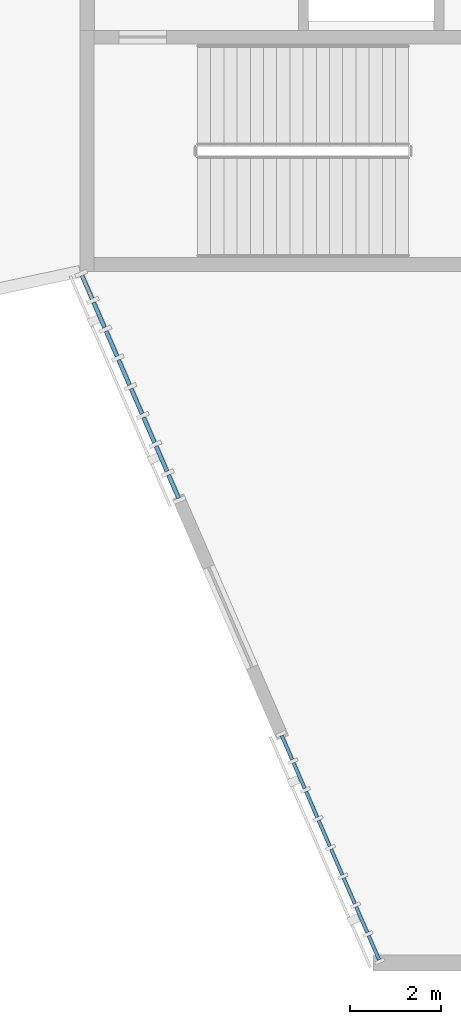
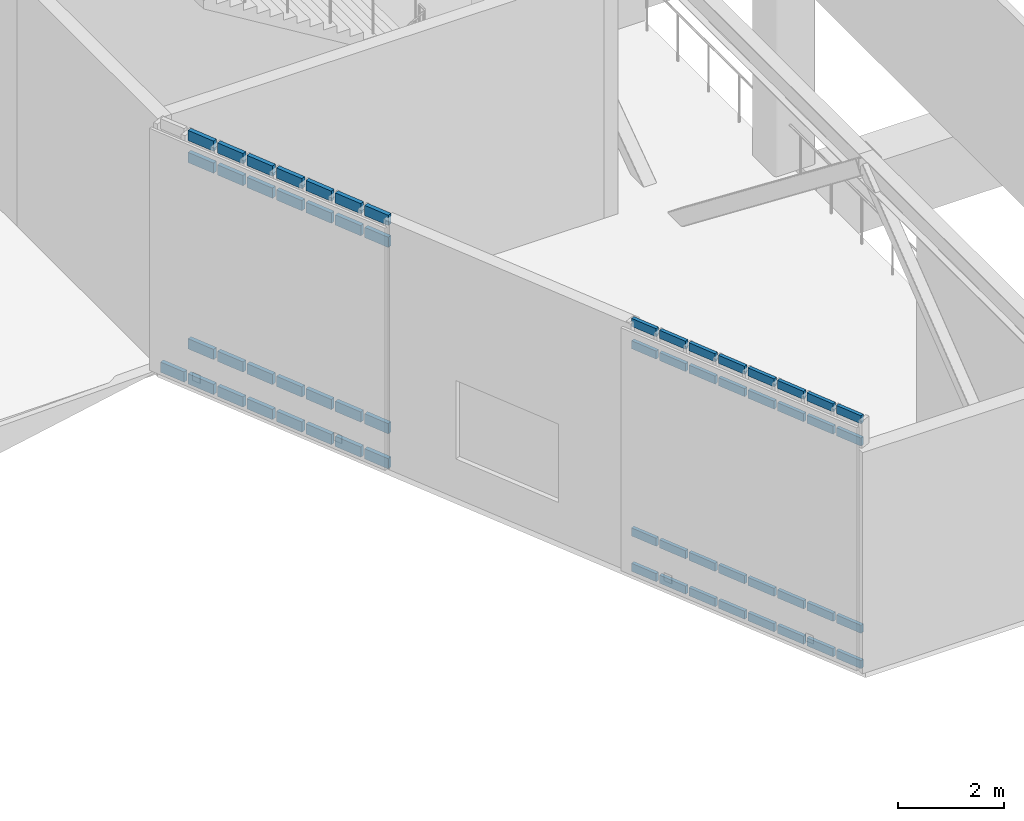
# One storey, part 49 of 135: 61 members, 2 elements without a shape of their own.
"""IFC4 building model written with IfcOpenShell, lengths in metres."""

from ifc_helpers import new_model, si_unit, direction, frame, origin, origin_2d, place, context, subcontext, project, spatial, rectangle, extrude, material, material_profile, profile_set, type_object, element, aggregate, save


model = new_model("IFC4")

# Units and contexts
model_context = context("Model", 3, precision=1e-05, world=origin(), true_north=direction((0.0, 1.0)))
body_context = subcontext(model_context, "Body", "Model", "MODEL_VIEW")
ifc_project = project(units=[si_unit("LENGTHUNIT", "METRE"), si_unit("AREAUNIT", "SQUARE_METRE"), si_unit("VOLUMEUNIT", "CUBIC_METRE"), si_unit("PLANEANGLEUNIT", "RADIAN"), si_unit("MASSUNIT", "GRAM", prefix="KILO")], contexts=[model_context])

# Site, building, storey
site_placement = place(None, origin())
site = spatial("IfcSite", under=ifc_project, at=site_placement, CompositionType="ELEMENT")
building_placement = place(site_placement, origin())
building = spatial("IfcBuilding", under=site, at=building_placement, Name="Larkvane Passage Sports Hall", CompositionType="ELEMENT")
storey_placement = place(building_placement, frame((0.0, 0.0, 10.800048828125)))
storey = spatial("IfcBuildingStorey", under=building, at=storey_placement, Name="L02", CompositionType="ELEMENT", Elevation=10.800048828125)

# Curtain wall, members
ifc_material_1 = material(Name="Thermally broken aluminium and low-E glazing", Category="aluminium")
curtain_wall_type_1 = type_object("IfcCurtainWallType", Name="CW-UNIT-VEIL", PredefinedType="USERDEFINED", material=ifc_material_1)
curtain_wall_1_placement = place(storey_placement, origin())
curtain_wall_1 = element("IfcCurtainWall", 1, at=curtain_wall_1_placement, inside=storey, type_object=curtain_wall_type_1, Name="Curtain wall CW5-L02-073", ObjectType="UNITISED CURTAIN WALL", PredefinedType="USERDEFINED")
ifc_material_2 = material(Name="Anodised aluminium 6063-T6", Category="aluminium")
ifc_material_profile_1 = material_profile(ifc_material_2, rectangle(XDim=0.074951171875, YDim=0.18505859375, at=origin_2d()), Name="ALU-TRN-75x185")
ifc_profile_set_1 = profile_set([ifc_material_profile_1], Name="Anodised aluminium 6063-T6")
member_type_1 = type_object("IfcMemberType", Name="CW-TRN-75x185", PredefinedType="USERDEFINED", material=ifc_profile_set_1)
member_1_placement = place(storey_placement, frame((124.570068359375, 7.668701171875, 0.037353515625), z_axis=(-0.39824733874, 0.917278069718, 0.0), x_axis=(-0.917278069718, -0.39824733874, 0.0)))
member_1 = element("IfcMember", 2, at=member_1_placement, type_object=member_type_1, Name="CW-02 transom 1.1", ObjectType="TRANSOM", PredefinedType="USERDEFINED", context=body_context, shape_type="SweptSolid", body=[
    extrude(rectangle(XDim=0.074951171875, YDim=0.18505859375, at=origin_2d()), origin(), (0.0, 0.0, 1.0), 0.578125),
])
member_2_placement = place(storey_placement, frame((124.570068359375, 7.668701171875, 0.849853515625), z_axis=(-0.39824733874, 0.917278069718, 0.0), x_axis=(-0.917278069718, -0.39824733874, 0.0)))
member_2 = element("IfcMember", 3, at=member_2_placement, type_object=member_type_1, Name="CW-02 transom 1.2", ObjectType="TRANSOM", PredefinedType="USERDEFINED", context=body_context, shape_type="SweptSolid", body=[
    extrude(rectangle(XDim=0.074951171875, YDim=0.18505859375, at=origin_2d()), origin(), (0.0, 0.0, 1.0), 0.578125),
])
member_3_placement = place(storey_placement, frame((124.570068359375, 7.668701171875, 5.14990234375), z_axis=(-0.39824733874, 0.917278069718, 0.0), x_axis=(-0.917278069718, -0.39824733874, 0.0)))
member_3 = element("IfcMember", 4, at=member_3_placement, type_object=member_type_1, Name="CW-02 transom 1.3", ObjectType="TRANSOM", PredefinedType="USERDEFINED", context=body_context, shape_type="SweptSolid", body=[
    extrude(rectangle(XDim=0.074951171875, YDim=0.18505859375, at=origin_2d()), origin(), (0.0, 0.0, 1.0), 0.578125),
])
member_4_placement = place(storey_placement, frame((124.570068359375, 7.668701171875, 5.662353515625), z_axis=(-0.39824733874, 0.917278069718, 0.0), x_axis=(-0.917278069718, -0.39824733874, 0.0)))
member_4 = element("IfcMember", 5, at=member_4_placement, type_object=member_type_1, Name="CW-02 transom 1.4", ObjectType="TRANSOM", PredefinedType="USERDEFINED", context=body_context, shape_type="SweptSolid", body=[
    extrude(rectangle(XDim=0.074951171875, YDim=0.18505859375, at=origin_2d()), origin(), (0.0, 0.0, 1.0), 0.578125),
])
member_5_placement = place(storey_placement, frame((124.31005859375, 8.267822265625, 0.037353515625), z_axis=(-0.398319878316, 0.917246572377, 0.0), x_axis=(-0.917246572377, -0.398319878316, 0.0)))
member_5 = element("IfcMember", 6, at=member_5_placement, type_object=member_type_1, Name="CW-02 transom 2.1", ObjectType="TRANSOM", PredefinedType="USERDEFINED", context=body_context, shape_type="SweptSolid", body=[
    extrude(rectangle(XDim=0.074951171875, YDim=0.18505859375, at=origin_2d()), origin(), (0.0, 0.0, 1.0), 0.615478515625),
])
member_6_placement = place(storey_placement, frame((124.31005859375, 8.267822265625, 0.849853515625), z_axis=(-0.398319878316, 0.917246572377, 0.0), x_axis=(-0.917246572377, -0.398319878316, 0.0)))
member_6 = element("IfcMember", 7, at=member_6_placement, type_object=member_type_1, Name="CW-02 transom 2.2", ObjectType="TRANSOM", PredefinedType="USERDEFINED", context=body_context, shape_type="SweptSolid", body=[
    extrude(rectangle(XDim=0.074951171875, YDim=0.18505859375, at=origin_2d()), origin(), (0.0, 0.0, 1.0), 0.615478515625),
])
member_7_placement = place(storey_placement, frame((124.31005859375, 8.267822265625, 5.14990234375), z_axis=(-0.398319878316, 0.917246572377, 0.0), x_axis=(-0.917246572377, -0.398319878316, 0.0)))
member_7 = element("IfcMember", 8, at=member_7_placement, type_object=member_type_1, Name="CW-02 transom 2.3", ObjectType="TRANSOM", PredefinedType="USERDEFINED", context=body_context, shape_type="SweptSolid", body=[
    extrude(rectangle(XDim=0.074951171875, YDim=0.18505859375, at=origin_2d()), origin(), (0.0, 0.0, 1.0), 0.615478515625),
])
member_8_placement = place(storey_placement, frame((124.31005859375, 8.267822265625, 5.662353515625), z_axis=(-0.398319878316, 0.917246572377, 0.0), x_axis=(-0.917246572377, -0.398319878316, 0.0)))
member_8 = element("IfcMember", 9, at=member_8_placement, type_object=member_type_1, Name="CW-02 transom 2.4", ObjectType="TRANSOM", PredefinedType="USERDEFINED", context=body_context, shape_type="SweptSolid", body=[
    extrude(rectangle(XDim=0.074951171875, YDim=0.18505859375, at=origin_2d()), origin(), (0.0, 0.0, 1.0), 0.615478515625),
])
member_9_placement = place(storey_placement, frame((124.03515625, 8.901123046875, 0.037353515625), z_axis=(-0.398319878316, 0.917246572377, 0.0), x_axis=(-0.917246572377, -0.398319878316, 0.0)))
member_9 = element("IfcMember", 10, at=member_9_placement, type_object=member_type_1, Name="CW-02 transom 3.1", ObjectType="TRANSOM", PredefinedType="USERDEFINED", context=body_context, shape_type="SweptSolid", body=[
    extrude(rectangle(XDim=0.074951171875, YDim=0.18505859375, at=origin_2d()), origin(), (0.0, 0.0, 1.0), 0.615478515625),
])
member_10_placement = place(storey_placement, frame((124.03515625, 8.901123046875, 0.849853515625), z_axis=(-0.398319878316, 0.917246572377, 0.0), x_axis=(-0.917246572377, -0.398319878316, 0.0)))
member_10 = element("IfcMember", 11, at=member_10_placement, type_object=member_type_1, Name="CW-02 transom 3.2", ObjectType="TRANSOM", PredefinedType="USERDEFINED", context=body_context, shape_type="SweptSolid", body=[
    extrude(rectangle(XDim=0.074951171875, YDim=0.18505859375, at=origin_2d()), origin(), (0.0, 0.0, 1.0), 0.615478515625),
])
member_11_placement = place(storey_placement, frame((124.03515625, 8.901123046875, 5.14990234375), z_axis=(-0.398319878316, 0.917246572377, 0.0), x_axis=(-0.917246572377, -0.398319878316, 0.0)))
member_11 = element("IfcMember", 12, at=member_11_placement, type_object=member_type_1, Name="CW-02 transom 3.3", ObjectType="TRANSOM", PredefinedType="USERDEFINED", context=body_context, shape_type="SweptSolid", body=[
    extrude(rectangle(XDim=0.074951171875, YDim=0.18505859375, at=origin_2d()), origin(), (0.0, 0.0, 1.0), 0.615478515625),
])
member_12_placement = place(storey_placement, frame((124.03515625, 8.901123046875, 5.662353515625), z_axis=(-0.398319878316, 0.917246572377, 0.0), x_axis=(-0.917246572377, -0.398319878316, 0.0)))
member_12 = element("IfcMember", 13, at=member_12_placement, type_object=member_type_1, Name="CW-02 transom 3.4", ObjectType="TRANSOM", PredefinedType="USERDEFINED", context=body_context, shape_type="SweptSolid", body=[
    extrude(rectangle(XDim=0.074951171875, YDim=0.18505859375, at=origin_2d()), origin(), (0.0, 0.0, 1.0), 0.615478515625),
])
member_13_placement = place(storey_placement, frame((123.760009765625, 9.534423828125, 0.037353515625), z_axis=(-0.398319878316, 0.917246572377, 0.0), x_axis=(-0.917246572377, -0.398319878316, 0.0)))
member_13 = element("IfcMember", 14, at=member_13_placement, type_object=member_type_1, Name="CW-02 transom 4.1", ObjectType="TRANSOM", PredefinedType="USERDEFINED", context=body_context, shape_type="SweptSolid", body=[
    extrude(rectangle(XDim=0.074951171875, YDim=0.18505859375, at=origin_2d()), origin(), (0.0, 0.0, 1.0), 0.615478515625),
])
member_14_placement = place(storey_placement, frame((123.760009765625, 9.534423828125, 0.849853515625), z_axis=(-0.398319878316, 0.917246572377, 0.0), x_axis=(-0.917246572377, -0.398319878316, 0.0)))
member_14 = element("IfcMember", 15, at=member_14_placement, type_object=member_type_1, Name="CW-02 transom 4.2", ObjectType="TRANSOM", PredefinedType="USERDEFINED", context=body_context, shape_type="SweptSolid", body=[
    extrude(rectangle(XDim=0.074951171875, YDim=0.18505859375, at=origin_2d()), origin(), (0.0, 0.0, 1.0), 0.615478515625),
])
member_15_placement = place(storey_placement, frame((123.760009765625, 9.534423828125, 5.14990234375), z_axis=(-0.398319878316, 0.917246572377, 0.0), x_axis=(-0.917246572377, -0.398319878316, 0.0)))
member_15 = element("IfcMember", 16, at=member_15_placement, type_object=member_type_1, Name="CW-02 transom 4.3", ObjectType="TRANSOM", PredefinedType="USERDEFINED", context=body_context, shape_type="SweptSolid", body=[
    extrude(rectangle(XDim=0.074951171875, YDim=0.18505859375, at=origin_2d()), origin(), (0.0, 0.0, 1.0), 0.615478515625),
])
member_16_placement = place(storey_placement, frame((123.760009765625, 9.534423828125, 5.662353515625), z_axis=(-0.398319878316, 0.917246572377, 0.0), x_axis=(-0.917246572377, -0.398319878316, 0.0)))
member_16 = element("IfcMember", 17, at=member_16_placement, type_object=member_type_1, Name="CW-02 transom 4.4", ObjectType="TRANSOM", PredefinedType="USERDEFINED", context=body_context, shape_type="SweptSolid", body=[
    extrude(rectangle(XDim=0.074951171875, YDim=0.18505859375, at=origin_2d()), origin(), (0.0, 0.0, 1.0), 0.615478515625),
])
member_17_placement = place(storey_placement, frame((123.485107421875, 10.167724609375, 0.037353515625), z_axis=(-0.398319878316, 0.917246572377, 0.0), x_axis=(-0.917246572377, -0.398319878316, 0.0)))
member_17 = element("IfcMember", 18, at=member_17_placement, type_object=member_type_1, Name="CW-02 transom 5.1", ObjectType="TRANSOM", PredefinedType="USERDEFINED", context=body_context, shape_type="SweptSolid", body=[
    extrude(rectangle(XDim=0.074951171875, YDim=0.18505859375, at=origin_2d()), origin(), (0.0, 0.0, 1.0), 0.615478515625),
])
member_18_placement = place(storey_placement, frame((123.485107421875, 10.167724609375, 0.849853515625), z_axis=(-0.398319878316, 0.917246572377, 0.0), x_axis=(-0.917246572377, -0.398319878316, 0.0)))
member_18 = element("IfcMember", 19, at=member_18_placement, type_object=member_type_1, Name="CW-02 transom 5.2", ObjectType="TRANSOM", PredefinedType="USERDEFINED", context=body_context, shape_type="SweptSolid", body=[
    extrude(rectangle(XDim=0.074951171875, YDim=0.18505859375, at=origin_2d()), origin(), (0.0, 0.0, 1.0), 0.615478515625),
])
member_19_placement = place(storey_placement, frame((123.485107421875, 10.167724609375, 5.14990234375), z_axis=(-0.398319878316, 0.917246572377, 0.0), x_axis=(-0.917246572377, -0.398319878316, 0.0)))
member_19 = element("IfcMember", 20, at=member_19_placement, type_object=member_type_1, Name="CW-02 transom 5.3", ObjectType="TRANSOM", PredefinedType="USERDEFINED", context=body_context, shape_type="SweptSolid", body=[
    extrude(rectangle(XDim=0.074951171875, YDim=0.18505859375, at=origin_2d()), origin(), (0.0, 0.0, 1.0), 0.615478515625),
])
member_20_placement = place(storey_placement, frame((123.485107421875, 10.167724609375, 5.662353515625), z_axis=(-0.398319878316, 0.917246572377, 0.0), x_axis=(-0.917246572377, -0.398319878316, 0.0)))
member_20 = element("IfcMember", 21, at=member_20_placement, type_object=member_type_1, Name="CW-02 transom 5.4", ObjectType="TRANSOM", PredefinedType="USERDEFINED", context=body_context, shape_type="SweptSolid", body=[
    extrude(rectangle(XDim=0.074951171875, YDim=0.18505859375, at=origin_2d()), origin(), (0.0, 0.0, 1.0), 0.615478515625),
])
member_21_placement = place(storey_placement, frame((123.2099609375, 10.801025390625, 0.037353515625), z_axis=(-0.398174976702, 0.917309483178, 0.0), x_axis=(-0.917309483178, -0.398174976702, 0.0)))
member_21 = element("IfcMember", 22, at=member_21_placement, type_object=member_type_1, Name="CW-02 transom 6.1", ObjectType="TRANSOM", PredefinedType="USERDEFINED", context=body_context, shape_type="SweptSolid", body=[
    extrude(rectangle(XDim=0.074951171875, YDim=0.18505859375, at=origin_2d()), origin(), (0.0, 0.0, 1.0), 0.61572265625),
])
member_22_placement = place(storey_placement, frame((123.2099609375, 10.801025390625, 0.849853515625), z_axis=(-0.398174976702, 0.917309483178, 0.0), x_axis=(-0.917309483178, -0.398174976702, 0.0)))
member_22 = element("IfcMember", 23, at=member_22_placement, type_object=member_type_1, Name="CW-02 transom 6.2", ObjectType="TRANSOM", PredefinedType="USERDEFINED", context=body_context, shape_type="SweptSolid", body=[
    extrude(rectangle(XDim=0.074951171875, YDim=0.18505859375, at=origin_2d()), origin(), (0.0, 0.0, 1.0), 0.61572265625),
])
member_23_placement = place(storey_placement, frame((123.2099609375, 10.801025390625, 5.14990234375), z_axis=(-0.398174976702, 0.917309483178, 0.0), x_axis=(-0.917309483178, -0.398174976702, 0.0)))
member_23 = element("IfcMember", 24, at=member_23_placement, type_object=member_type_1, Name="CW-02 transom 6.3", ObjectType="TRANSOM", PredefinedType="USERDEFINED", context=body_context, shape_type="SweptSolid", body=[
    extrude(rectangle(XDim=0.074951171875, YDim=0.18505859375, at=origin_2d()), origin(), (0.0, 0.0, 1.0), 0.61572265625),
])
member_24_placement = place(storey_placement, frame((123.2099609375, 10.801025390625, 5.662353515625), z_axis=(-0.398174976702, 0.917309483178, 0.0), x_axis=(-0.917309483178, -0.398174976702, 0.0)))
member_24 = element("IfcMember", 25, at=member_24_placement, type_object=member_type_1, Name="CW-02 transom 6.4", ObjectType="TRANSOM", PredefinedType="USERDEFINED", context=body_context, shape_type="SweptSolid", body=[
    extrude(rectangle(XDim=0.074951171875, YDim=0.18505859375, at=origin_2d()), origin(), (0.0, 0.0, 1.0), 0.61572265625),
])
member_25_placement = place(storey_placement, frame((122.93505859375, 11.434326171875, 0.037353515625), z_axis=(-0.398174976702, 0.917309483178, 0.0), x_axis=(-0.917309483178, -0.398174976702, 0.0)))
member_25 = element("IfcMember", 26, at=member_25_placement, type_object=member_type_1, Name="CW-02 transom 7.1", ObjectType="TRANSOM", PredefinedType="USERDEFINED", context=body_context, shape_type="SweptSolid", body=[
    extrude(rectangle(XDim=0.074951171875, YDim=0.18505859375, at=origin_2d()), origin(), (0.0, 0.0, 1.0), 0.61572265625),
])
member_26_placement = place(storey_placement, frame((122.93505859375, 11.434326171875, 0.849853515625), z_axis=(-0.398174976702, 0.917309483178, 0.0), x_axis=(-0.917309483178, -0.398174976702, 0.0)))
member_26 = element("IfcMember", 27, at=member_26_placement, type_object=member_type_1, Name="CW-02 transom 7.2", ObjectType="TRANSOM", PredefinedType="USERDEFINED", context=body_context, shape_type="SweptSolid", body=[
    extrude(rectangle(XDim=0.074951171875, YDim=0.18505859375, at=origin_2d()), origin(), (0.0, 0.0, 1.0), 0.61572265625),
])
member_27_placement = place(storey_placement, frame((122.93505859375, 11.434326171875, 5.14990234375), z_axis=(-0.398174976702, 0.917309483178, 0.0), x_axis=(-0.917309483178, -0.398174976702, 0.0)))
member_27 = element("IfcMember", 28, at=member_27_placement, type_object=member_type_1, Name="CW-02 transom 7.3", ObjectType="TRANSOM", PredefinedType="USERDEFINED", context=body_context, shape_type="SweptSolid", body=[
    extrude(rectangle(XDim=0.074951171875, YDim=0.18505859375, at=origin_2d()), origin(), (0.0, 0.0, 1.0), 0.61572265625),
])
member_28_placement = place(storey_placement, frame((122.93505859375, 11.434326171875, 5.662353515625), z_axis=(-0.398174976702, 0.917309483178, 0.0), x_axis=(-0.917309483178, -0.398174976702, 0.0)))
member_28 = element("IfcMember", 29, at=member_28_placement, type_object=member_type_1, Name="CW-02 transom 7.4", ObjectType="TRANSOM", PredefinedType="USERDEFINED", context=body_context, shape_type="SweptSolid", body=[
    extrude(rectangle(XDim=0.074951171875, YDim=0.18505859375, at=origin_2d()), origin(), (0.0, 0.0, 1.0), 0.61572265625),
])
member_29_placement = place(storey_placement, frame((122.66015625, 12.06787109375, 0.037353515625), z_axis=(-0.39840166772, 0.917211050499, 0.0), x_axis=(-0.917211050499, -0.39840166772, 0.0)))
member_29 = element("IfcMember", 30, at=member_29_placement, type_object=member_type_1, Name="CW-02 transom 8.1", ObjectType="TRANSOM", PredefinedType="USERDEFINED", context=body_context, shape_type="SweptSolid", body=[
    extrude(rectangle(XDim=0.074951171875, YDim=0.18505859375, at=origin_2d()), origin(), (0.0, 0.0, 1.0), 0.577880859375),
])
member_30_placement = place(storey_placement, frame((122.66015625, 12.06787109375, 0.849853515625), z_axis=(-0.39840166772, 0.917211050499, 0.0), x_axis=(-0.917211050499, -0.39840166772, 0.0)))
member_30 = element("IfcMember", 31, at=member_30_placement, type_object=member_type_1, Name="CW-02 transom 8.2", ObjectType="TRANSOM", PredefinedType="USERDEFINED", context=body_context, shape_type="SweptSolid", body=[
    extrude(rectangle(XDim=0.074951171875, YDim=0.18505859375, at=origin_2d()), origin(), (0.0, 0.0, 1.0), 0.577880859375),
])
member_31_placement = place(storey_placement, frame((122.66015625, 12.06787109375, 5.14990234375), z_axis=(-0.39840166772, 0.917211050499, 0.0), x_axis=(-0.917211050499, -0.39840166772, 0.0)))
member_31 = element("IfcMember", 32, at=member_31_placement, type_object=member_type_1, Name="CW-02 transom 8.3", ObjectType="TRANSOM", PredefinedType="USERDEFINED", context=body_context, shape_type="SweptSolid", body=[
    extrude(rectangle(XDim=0.074951171875, YDim=0.18505859375, at=origin_2d()), origin(), (0.0, 0.0, 1.0), 0.577880859375),
])
member_32_placement = place(storey_placement, frame((122.66015625, 12.06787109375, 5.662353515625), z_axis=(-0.39840166772, 0.917211050499, 0.0), x_axis=(-0.917211050499, -0.39840166772, 0.0)))
member_32 = element("IfcMember", 33, at=member_32_placement, type_object=member_type_1, Name="CW-02 transom 8.4", ObjectType="TRANSOM", PredefinedType="USERDEFINED", context=body_context, shape_type="SweptSolid", body=[
    extrude(rectangle(XDim=0.074951171875, YDim=0.18505859375, at=origin_2d()), origin(), (0.0, 0.0, 1.0), 0.577880859375),
])
aggregate(curtain_wall_1, [member_1, member_2, member_3, member_4, member_5, member_6, member_7, member_8, member_9, member_10, member_11, member_12, member_13, member_14, member_15, member_16, member_17, member_18, member_19, member_20, member_21, member_22, member_23, member_24, member_25, member_26, member_27, member_28, member_29, member_30, member_31, member_32])

curtain_wall_type_2 = type_object("IfcCurtainWallType", Name="CW-STICK-FOYER", PredefinedType="USERDEFINED", material=ifc_material_1)
curtain_wall_2_placement = place(storey_placement, origin())
curtain_wall_2 = element("IfcCurtainWall", 34, at=curtain_wall_2_placement, inside=storey, type_object=curtain_wall_type_2, Name="Curtain wall CW5-L02-074", ObjectType="STICK CURTAIN WALL", PredefinedType="USERDEFINED")
ifc_material_profile_2 = material_profile(ifc_material_2, rectangle(XDim=0.090087890625, YDim=0.235107421875, at=origin_2d()), Name="ALU-TRN-90x235")
ifc_profile_set_2 = profile_set([ifc_material_profile_2], Name="Anodised aluminium 6063-T6")
member_type_2 = type_object("IfcMemberType", Name="CW-TRN-90x235", PredefinedType="USERDEFINED", material=ifc_profile_set_2)
member_33_placement = place(storey_placement, frame((120.1640625, 17.81591796875, 0.044921875), z_axis=(-0.398274987075, 0.917266065365, 0.0), x_axis=(-0.917266065365, -0.398274987075, 0.0)))
member_33 = element("IfcMember", 35, at=member_33_placement, type_object=member_type_2, Name="CW-03 transom 1.1", ObjectType="TRANSOM", PredefinedType="USERDEFINED", context=body_context, shape_type="SweptSolid", body=[
    extrude(rectangle(XDim=0.090087890625, YDim=0.235107421875, at=origin_2d()), origin(), (0.0, 0.0, 1.0), 0.55419921875),
])
member_34_placement = place(storey_placement, frame((120.1640625, 17.81591796875, 0.849853515625), z_axis=(-0.398274987075, 0.917266065365, 0.0), x_axis=(-0.917266065365, -0.398274987075, 0.0)))
member_34 = element("IfcMember", 36, at=member_34_placement, type_object=member_type_2, Name="CW-03 transom 1.2", ObjectType="TRANSOM", PredefinedType="USERDEFINED", context=body_context, shape_type="SweptSolid", body=[
    extrude(rectangle(XDim=0.090087890625, YDim=0.235107421875, at=origin_2d()), origin(), (0.0, 0.0, 1.0), 0.55419921875),
])
member_35_placement = place(storey_placement, frame((120.1640625, 17.81591796875, 5.1298828125), z_axis=(-0.398274987075, 0.917266065365, 0.0), x_axis=(-0.917266065365, -0.398274987075, 0.0)))
member_35 = element("IfcMember", 37, at=member_35_placement, type_object=member_type_2, Name="CW-03 transom 1.3", ObjectType="TRANSOM", PredefinedType="USERDEFINED", context=body_context, shape_type="SweptSolid", body=[
    extrude(rectangle(XDim=0.090087890625, YDim=0.235107421875, at=origin_2d()), origin(), (0.0, 0.0, 1.0), 0.55419921875),
])
member_36_placement = place(storey_placement, frame((120.1640625, 17.81591796875, 5.635009765625), z_axis=(-0.398274987075, 0.917266065365, 0.0), x_axis=(-0.917266065365, -0.398274987075, 0.0)))
member_36 = element("IfcMember", 38, at=member_36_placement, type_object=member_type_2, Name="CW-03 transom 1.4", ObjectType="TRANSOM", PredefinedType="USERDEFINED", context=body_context, shape_type="SweptSolid", body=[
    extrude(rectangle(XDim=0.090087890625, YDim=0.235107421875, at=origin_2d()), origin(), (0.0, 0.0, 1.0), 0.55419921875),
])
member_37_placement = place(storey_placement, frame((119.90771484375, 18.40673828125, 0.044921875), z_axis=(-0.398487716055, 0.91717366957, 0.0), x_axis=(-0.91717366957, -0.398487716055, 0.0)))
member_37 = element("IfcMember", 39, at=member_37_placement, type_object=member_type_2, Name="CW-03 transom 2.1", ObjectType="TRANSOM", PredefinedType="USERDEFINED", context=body_context, shape_type="SweptSolid", body=[
    extrude(rectangle(XDim=0.090087890625, YDim=0.235107421875, at=origin_2d()), origin(), (0.0, 0.0, 1.0), 0.59912109375),
])
member_38_placement = place(storey_placement, frame((119.90771484375, 18.40673828125, 0.849853515625), z_axis=(-0.398487716055, 0.91717366957, 0.0), x_axis=(-0.91717366957, -0.398487716055, 0.0)))
member_38 = element("IfcMember", 40, at=member_38_placement, type_object=member_type_2, Name="CW-03 transom 2.2", ObjectType="TRANSOM", PredefinedType="USERDEFINED", context=body_context, shape_type="SweptSolid", body=[
    extrude(rectangle(XDim=0.090087890625, YDim=0.235107421875, at=origin_2d()), origin(), (0.0, 0.0, 1.0), 0.59912109375),
])
member_39_placement = place(storey_placement, frame((119.90771484375, 18.40673828125, 5.1298828125), z_axis=(-0.398487716055, 0.91717366957, 0.0), x_axis=(-0.91717366957, -0.398487716055, 0.0)))
member_39 = element("IfcMember", 41, at=member_39_placement, type_object=member_type_2, Name="CW-03 transom 2.3", ObjectType="TRANSOM", PredefinedType="USERDEFINED", context=body_context, shape_type="SweptSolid", body=[
    extrude(rectangle(XDim=0.090087890625, YDim=0.235107421875, at=origin_2d()), origin(), (0.0, 0.0, 1.0), 0.59912109375),
])
member_40_placement = place(storey_placement, frame((119.90771484375, 18.40673828125, 5.635009765625), z_axis=(-0.398487716055, 0.91717366957, 0.0), x_axis=(-0.91717366957, -0.398487716055, 0.0)))
member_40 = element("IfcMember", 42, at=member_40_placement, type_object=member_type_2, Name="CW-03 transom 2.4", ObjectType="TRANSOM", PredefinedType="USERDEFINED", context=body_context, shape_type="SweptSolid", body=[
    extrude(rectangle(XDim=0.090087890625, YDim=0.235107421875, at=origin_2d()), origin(), (0.0, 0.0, 1.0), 0.59912109375),
])
member_41_placement = place(storey_placement, frame((119.633056640625, 19.038818359375, 0.044921875), z_axis=(-0.398144881183, 0.917322546103, 0.0), x_axis=(-0.917322546103, -0.398144881183, 0.0)))
member_41 = element("IfcMember", 43, at=member_41_placement, type_object=member_type_2, Name="CW-03 transom 3.1", ObjectType="TRANSOM", PredefinedType="USERDEFINED", context=body_context, shape_type="SweptSolid", body=[
    extrude(rectangle(XDim=0.090087890625, YDim=0.235107421875, at=origin_2d()), origin(), (0.0, 0.0, 1.0), 0.59912109375),
])
member_42_placement = place(storey_placement, frame((119.633056640625, 19.038818359375, 0.849853515625), z_axis=(-0.398144881183, 0.917322546103, 0.0), x_axis=(-0.917322546103, -0.398144881183, 0.0)))
member_42 = element("IfcMember", 44, at=member_42_placement, type_object=member_type_2, Name="CW-03 transom 3.2", ObjectType="TRANSOM", PredefinedType="USERDEFINED", context=body_context, shape_type="SweptSolid", body=[
    extrude(rectangle(XDim=0.090087890625, YDim=0.235107421875, at=origin_2d()), origin(), (0.0, 0.0, 1.0), 0.59912109375),
])
member_43_placement = place(storey_placement, frame((119.633056640625, 19.038818359375, 5.1298828125), z_axis=(-0.398144881183, 0.917322546103, 0.0), x_axis=(-0.917322546103, -0.398144881183, 0.0)))
member_43 = element("IfcMember", 45, at=member_43_placement, type_object=member_type_2, Name="CW-03 transom 3.3", ObjectType="TRANSOM", PredefinedType="USERDEFINED", context=body_context, shape_type="SweptSolid", body=[
    extrude(rectangle(XDim=0.090087890625, YDim=0.235107421875, at=origin_2d()), origin(), (0.0, 0.0, 1.0), 0.59912109375),
])
member_44_placement = place(storey_placement, frame((119.633056640625, 19.038818359375, 5.635009765625), z_axis=(-0.398144881183, 0.917322546103, 0.0), x_axis=(-0.917322546103, -0.398144881183, 0.0)))
member_44 = element("IfcMember", 46, at=member_44_placement, type_object=member_type_2, Name="CW-03 transom 3.4", ObjectType="TRANSOM", PredefinedType="USERDEFINED", context=body_context, shape_type="SweptSolid", body=[
    extrude(rectangle(XDim=0.090087890625, YDim=0.235107421875, at=origin_2d()), origin(), (0.0, 0.0, 1.0), 0.59912109375),
])
member_45_placement = place(storey_placement, frame((119.358642578125, 19.6708984375, 0.044921875), z_axis=(-0.398144881183, 0.917322546103, 0.0), x_axis=(-0.917322546103, -0.398144881183, 0.0)))
member_45 = element("IfcMember", 47, at=member_45_placement, type_object=member_type_2, Name="CW-03 transom 4.1", ObjectType="TRANSOM", PredefinedType="USERDEFINED", context=body_context, shape_type="SweptSolid", body=[
    extrude(rectangle(XDim=0.090087890625, YDim=0.235107421875, at=origin_2d()), origin(), (0.0, 0.0, 1.0), 0.59912109375),
])
member_46_placement = place(storey_placement, frame((119.358642578125, 19.6708984375, 0.849853515625), z_axis=(-0.398144881183, 0.917322546103, 0.0), x_axis=(-0.917322546103, -0.398144881183, 0.0)))
member_46 = element("IfcMember", 48, at=member_46_placement, type_object=member_type_2, Name="CW-03 transom 4.2", ObjectType="TRANSOM", PredefinedType="USERDEFINED", context=body_context, shape_type="SweptSolid", body=[
    extrude(rectangle(XDim=0.090087890625, YDim=0.235107421875, at=origin_2d()), origin(), (0.0, 0.0, 1.0), 0.59912109375),
])
member_47_placement = place(storey_placement, frame((119.358642578125, 19.6708984375, 5.1298828125), z_axis=(-0.398144881183, 0.917322546103, 0.0), x_axis=(-0.917322546103, -0.398144881183, 0.0)))
member_47 = element("IfcMember", 49, at=member_47_placement, type_object=member_type_2, Name="CW-03 transom 4.3", ObjectType="TRANSOM", PredefinedType="USERDEFINED", context=body_context, shape_type="SweptSolid", body=[
    extrude(rectangle(XDim=0.090087890625, YDim=0.235107421875, at=origin_2d()), origin(), (0.0, 0.0, 1.0), 0.59912109375),
])
member_48_placement = place(storey_placement, frame((119.358642578125, 19.6708984375, 5.635009765625), z_axis=(-0.398144881183, 0.917322546103, 0.0), x_axis=(-0.917322546103, -0.398144881183, 0.0)))
member_48 = element("IfcMember", 50, at=member_48_placement, type_object=member_type_2, Name="CW-03 transom 4.4", ObjectType="TRANSOM", PredefinedType="USERDEFINED", context=body_context, shape_type="SweptSolid", body=[
    extrude(rectangle(XDim=0.090087890625, YDim=0.235107421875, at=origin_2d()), origin(), (0.0, 0.0, 1.0), 0.59912109375),
])
member_49_placement = place(storey_placement, frame((119.084228515625, 20.302978515625, 0.044921875), z_axis=(-0.398144881183, 0.917322546103, 0.0), x_axis=(-0.917322546103, -0.398144881183, 0.0)))
member_49 = element("IfcMember", 51, at=member_49_placement, type_object=member_type_2, Name="CW-03 transom 5.1", ObjectType="TRANSOM", PredefinedType="USERDEFINED", context=body_context, shape_type="SweptSolid", body=[
    extrude(rectangle(XDim=0.090087890625, YDim=0.235107421875, at=origin_2d()), origin(), (0.0, 0.0, 1.0), 0.59912109375),
])
member_50_placement = place(storey_placement, frame((119.084228515625, 20.302978515625, 0.849853515625), z_axis=(-0.398144881183, 0.917322546103, 0.0), x_axis=(-0.917322546103, -0.398144881183, 0.0)))
member_50 = element("IfcMember", 52, at=member_50_placement, type_object=member_type_2, Name="CW-03 transom 5.2", ObjectType="TRANSOM", PredefinedType="USERDEFINED", context=body_context, shape_type="SweptSolid", body=[
    extrude(rectangle(XDim=0.090087890625, YDim=0.235107421875, at=origin_2d()), origin(), (0.0, 0.0, 1.0), 0.59912109375),
])
member_51_placement = place(storey_placement, frame((119.084228515625, 20.302978515625, 5.1298828125), z_axis=(-0.398144881183, 0.917322546103, 0.0), x_axis=(-0.917322546103, -0.398144881183, 0.0)))
member_51 = element("IfcMember", 53, at=member_51_placement, type_object=member_type_2, Name="CW-03 transom 5.3", ObjectType="TRANSOM", PredefinedType="USERDEFINED", context=body_context, shape_type="SweptSolid", body=[
    extrude(rectangle(XDim=0.090087890625, YDim=0.235107421875, at=origin_2d()), origin(), (0.0, 0.0, 1.0), 0.59912109375),
])
member_52_placement = place(storey_placement, frame((119.084228515625, 20.302978515625, 5.635009765625), z_axis=(-0.398144881183, 0.917322546103, 0.0), x_axis=(-0.917322546103, -0.398144881183, 0.0)))
member_52 = element("IfcMember", 54, at=member_52_placement, type_object=member_type_2, Name="CW-03 transom 5.4", ObjectType="TRANSOM", PredefinedType="USERDEFINED", context=body_context, shape_type="SweptSolid", body=[
    extrude(rectangle(XDim=0.090087890625, YDim=0.235107421875, at=origin_2d()), origin(), (0.0, 0.0, 1.0), 0.59912109375),
])
member_53_placement = place(storey_placement, frame((118.809814453125, 20.93505859375, 0.044921875), z_axis=(-0.398487716055, 0.91717366957, 0.0), x_axis=(-0.91717366957, -0.398487716055, 0.0)))
member_53 = element("IfcMember", 55, at=member_53_placement, type_object=member_type_2, Name="CW-03 transom 6.1", ObjectType="TRANSOM", PredefinedType="USERDEFINED", context=body_context, shape_type="SweptSolid", body=[
    extrude(rectangle(XDim=0.090087890625, YDim=0.235107421875, at=origin_2d()), origin(), (0.0, 0.0, 1.0), 0.59912109375),
])
member_54_placement = place(storey_placement, frame((118.809814453125, 20.93505859375, 0.849853515625), z_axis=(-0.398487716055, 0.91717366957, 0.0), x_axis=(-0.91717366957, -0.398487716055, 0.0)))
member_54 = element("IfcMember", 56, at=member_54_placement, type_object=member_type_2, Name="CW-03 transom 6.2", ObjectType="TRANSOM", PredefinedType="USERDEFINED", context=body_context, shape_type="SweptSolid", body=[
    extrude(rectangle(XDim=0.090087890625, YDim=0.235107421875, at=origin_2d()), origin(), (0.0, 0.0, 1.0), 0.59912109375),
])
member_55_placement = place(storey_placement, frame((118.809814453125, 20.93505859375, 5.1298828125), z_axis=(-0.398487716055, 0.91717366957, 0.0), x_axis=(-0.91717366957, -0.398487716055, 0.0)))
member_55 = element("IfcMember", 57, at=member_55_placement, type_object=member_type_2, Name="CW-03 transom 6.3", ObjectType="TRANSOM", PredefinedType="USERDEFINED", context=body_context, shape_type="SweptSolid", body=[
    extrude(rectangle(XDim=0.090087890625, YDim=0.235107421875, at=origin_2d()), origin(), (0.0, 0.0, 1.0), 0.59912109375),
])
member_56_placement = place(storey_placement, frame((118.809814453125, 20.93505859375, 5.635009765625), z_axis=(-0.398487716055, 0.91717366957, 0.0), x_axis=(-0.91717366957, -0.398487716055, 0.0)))
member_56 = element("IfcMember", 58, at=member_56_placement, type_object=member_type_2, Name="CW-03 transom 6.4", ObjectType="TRANSOM", PredefinedType="USERDEFINED", context=body_context, shape_type="SweptSolid", body=[
    extrude(rectangle(XDim=0.090087890625, YDim=0.235107421875, at=origin_2d()), origin(), (0.0, 0.0, 1.0), 0.59912109375),
])
member_57_placement = place(storey_placement, frame((118.535400390625, 21.567138671875, 0.044921875), z_axis=(-0.398487716055, 0.91717366957, 0.0), x_axis=(-0.91717366957, -0.398487716055, 0.0)))
member_57 = element("IfcMember", 59, at=member_57_placement, type_object=member_type_2, Name="CW-03 transom 7.1", ObjectType="TRANSOM", PredefinedType="USERDEFINED", context=body_context, shape_type="SweptSolid", body=[
    extrude(rectangle(XDim=0.090087890625, YDim=0.235107421875, at=origin_2d()), origin(), (0.0, 0.0, 1.0), 0.59912109375),
])
member_58_placement = place(storey_placement, frame((118.535400390625, 21.567138671875, 0.849853515625), z_axis=(-0.398487716055, 0.91717366957, 0.0), x_axis=(-0.91717366957, -0.398487716055, 0.0)))
member_58 = element("IfcMember", 60, at=member_58_placement, type_object=member_type_2, Name="CW-03 transom 7.2", ObjectType="TRANSOM", PredefinedType="USERDEFINED", context=body_context, shape_type="SweptSolid", body=[
    extrude(rectangle(XDim=0.090087890625, YDim=0.235107421875, at=origin_2d()), origin(), (0.0, 0.0, 1.0), 0.59912109375),
])
member_59_placement = place(storey_placement, frame((118.535400390625, 21.567138671875, 5.1298828125), z_axis=(-0.398487716055, 0.91717366957, 0.0), x_axis=(-0.91717366957, -0.398487716055, 0.0)))
member_59 = element("IfcMember", 61, at=member_59_placement, type_object=member_type_2, Name="CW-03 transom 7.3", ObjectType="TRANSOM", PredefinedType="USERDEFINED", context=body_context, shape_type="SweptSolid", body=[
    extrude(rectangle(XDim=0.090087890625, YDim=0.235107421875, at=origin_2d()), origin(), (0.0, 0.0, 1.0), 0.59912109375),
])
member_60_placement = place(storey_placement, frame((118.535400390625, 21.567138671875, 5.635009765625), z_axis=(-0.398487716055, 0.91717366957, 0.0), x_axis=(-0.91717366957, -0.398487716055, 0.0)))
member_60 = element("IfcMember", 62, at=member_60_placement, type_object=member_type_2, Name="CW-03 transom 7.4", ObjectType="TRANSOM", PredefinedType="USERDEFINED", context=body_context, shape_type="SweptSolid", body=[
    extrude(rectangle(XDim=0.090087890625, YDim=0.235107421875, at=origin_2d()), origin(), (0.0, 0.0, 1.0), 0.59912109375),
])
member_61_placement = place(storey_placement, frame((118.2607421875, 22.19921875, 0.044921875), z_axis=(-0.398274987075, 0.917266065365, 0.0), x_axis=(-0.917266065365, -0.398274987075, 0.0)))
member_61 = element("IfcMember", 63, at=member_61_placement, type_object=member_type_2, Name="CW-03 transom 8.1", ObjectType="TRANSOM", PredefinedType="USERDEFINED", context=body_context, shape_type="SweptSolid", body=[
    extrude(rectangle(XDim=0.090087890625, YDim=0.235107421875, at=origin_2d()), origin(), (0.0, 0.0, 1.0), 0.55419921875),
])
aggregate(curtain_wall_2, [member_33, member_34, member_35, member_36, member_37, member_38, member_39, member_40, member_41, member_42, member_43, member_44, member_45, member_46, member_47, member_48, member_49, member_50, member_51, member_52, member_53, member_54, member_55, member_56, member_57, member_58, member_59, member_60, member_61])

save(model, "model.ifc")
